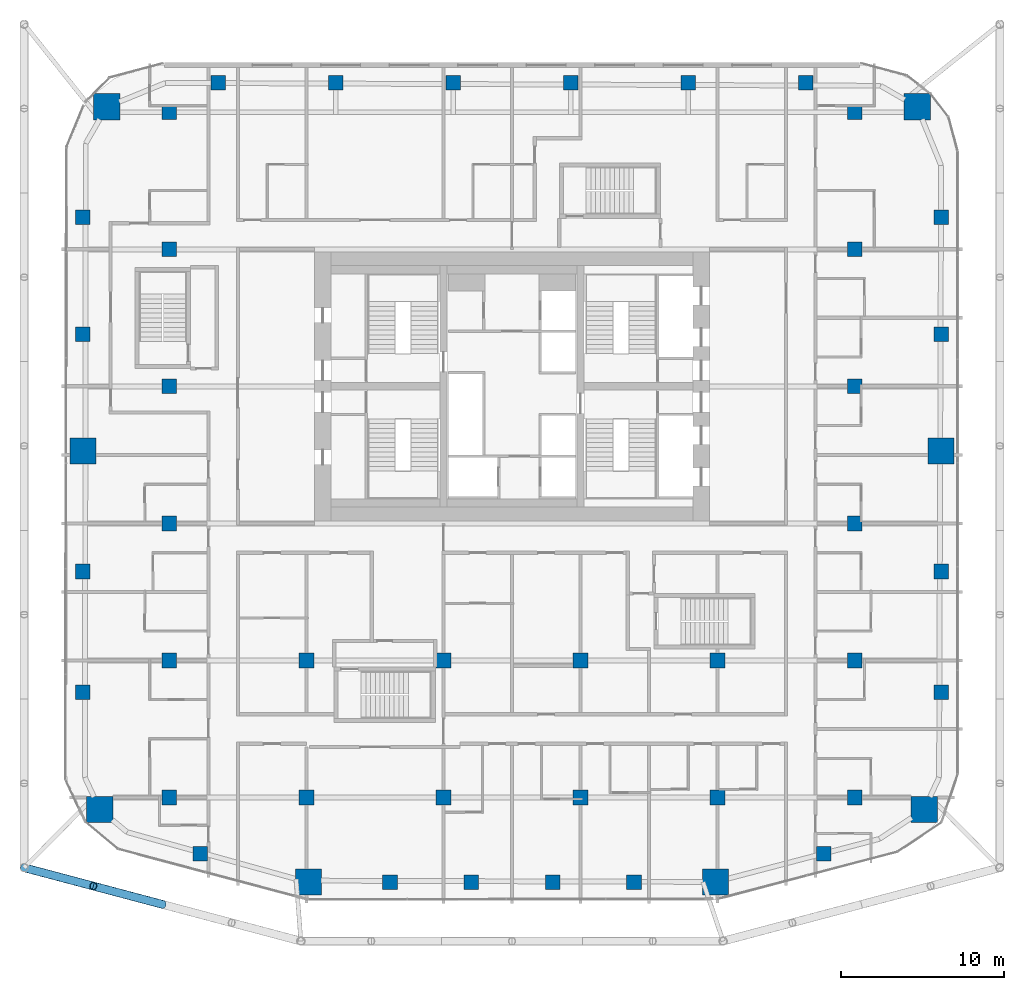
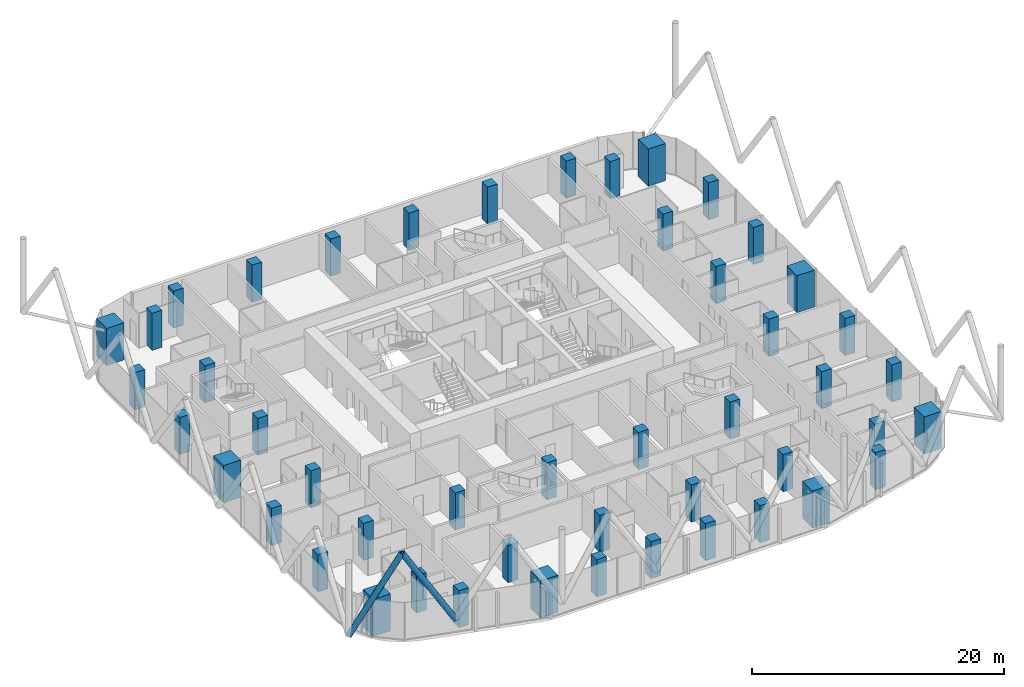
# One storey, part 1 of 33: 48 columns, 2 members.
"""IFC4 building model written with IfcOpenShell, lengths in metres."""

from ifc_helpers import new_model, si_unit, direction, frame, origin, origin_2d, place, context, subcontext, project, spatial, rectangle, hollow_circle, extrude, material, material_profile, profile_set, type_object, element, save


model = new_model("IFC4")

# Units and contexts
model_context = context("Model", 3, precision=1e-05, world=origin(), true_north=direction((0.0, 1.0)))
body_context = subcontext(model_context, "Body", "Model", "MODEL_VIEW")
ifc_project = project(units=[si_unit("LENGTHUNIT", "METRE"), si_unit("AREAUNIT", "SQUARE_METRE"), si_unit("VOLUMEUNIT", "CUBIC_METRE"), si_unit("PLANEANGLEUNIT", "RADIAN"), si_unit("MASSUNIT", "GRAM", prefix="KILO")], contexts=[model_context])

# Site, building, storey
site_placement = place(None, origin())
site = spatial("IfcSite", under=ifc_project, at=site_placement, CompositionType="ELEMENT")
building_placement = place(site_placement, origin())
building = spatial("IfcBuilding", under=site, at=building_placement, Name="Marenta Gate Hotel Tower", CompositionType="ELEMENT")
storey_placement = place(building_placement, frame((0.0, 0.0, 137.300048828125)))
storey = spatial("IfcBuildingStorey", under=building, at=storey_placement, Name="L31", CompositionType="ELEMENT", Elevation=137.300048828125)

# Columns
ifc_material_1 = material(Name="Concrete C70", Category="concrete")
ifc_material_profile_1 = material_profile(ifc_material_1, rectangle(XDim=0.89990234375, YDim=0.89990234375, at=origin_2d()), Name="900 x 900")
ifc_profile_set_1 = profile_set([ifc_material_profile_1], Name="Concrete C70")
column_type_1 = type_object("IfcColumnType", Name="Edge column 900 x 900 C70", PredefinedType="COLUMN", material=ifc_profile_set_1)
for number, where, z_axis, x_axis, name in (
    (1, (-26.300048828125, -10.351806640625, 0.0), (0.0, 0.0, 1.0), (1.0, 0.0, 0.0), "L31-EC-SW-W-1"),
    (2, (-26.300048828125, -2.950927734375, 0.0), (0.0, 0.0, 1.0), (1.0, 0.0, 0.0), "L31-EC-SW-W-2"),
    (3, (-26.300048828125, 11.603271484375, 0.0), (0.0, 0.0, 1.0), (1.0, 0.0, 0.0), "L31-EC-W-NW-1"),
    (4, (-26.300048828125, 18.75634765625, 0.0), (0.0, 0.0, 1.0), (1.0, 0.0, 0.0), "L31-EC-W-NW-2"),
    (5, (-18.0068359375, 27.0, 0.0), (0.0, 0.0, 1.0), (1.0, 0.0, 0.0), "L31-EC-NW-NE-1"),
    (6, (-10.80419921875, 27.0, 0.0), (0.0, 0.0, 1.0), (1.0, 0.0, 0.0), "L31-EC-NW-NE-2"),
    (7, (-3.601318359375, 27.0, 0.0), (0.0, 0.0, 1.0), (1.0, 0.0, 0.0), "L31-EC-NW-NE-3"),
    (8, (3.601318359375, 27.0, 0.0), (0.0, 0.0, 1.0), (1.0, 0.0, 0.0), "L31-EC-NW-NE-4"),
    (9, (10.80419921875, 27.0, 0.0), (0.0, 0.0, 1.0), (1.0, 0.0, 0.0), "L31-EC-NW-NE-5"),
    (10, (18.0068359375, 27.0, 0.0), (0.0, 0.0, 1.0), (1.0, 0.0, 0.0), "L31-EC-NW-NE-6"),
    (11, (26.300048828125, 18.75634765625, 0.0), (0.0, 0.0, 1.0), (1.0, 0.0, 0.0), "L31-EC-NE-E-1"),
    (12, (26.300048828125, 11.603271484375, 0.0), (0.0, 0.0, 1.0), (1.0, 0.0, 0.0), "L31-EC-NE-E-2"),
    (13, (26.300048828125, -2.950927734375, 0.0), (0.0, 0.0, 1.0), (1.0, 0.0, 0.0), "L31-EC-E-SE-1"),
    (14, (26.300048828125, -10.351806640625, 0.0), (0.0, 0.0, 1.0), (1.0, 0.0, 0.0), "L31-EC-E-SE-2"),
    (15, (19.106689453125, -20.239013671875, 0.0), (0.0, 0.0, 1.0), (1.0, 0.0, 0.0), "L31-EC-SE-SKE-1"),
    (16, (7.47998046875, -22.0, 0.0), (0.0, 0.0, 1.0), (1.0, 0.0, 0.0), "L31-EC-SKE-SKW-1"),
    (17, (2.493408203125, -22.0, 0.0), (0.0, 0.0, 1.0), (1.0, 0.0, 0.0), "L31-EC-SKE-SKW-2"),
    (18, (-2.493408203125, -22.0, 0.0), (0.0, 0.0, 1.0), (1.0, 0.0, 0.0), "L31-EC-SKE-SKW-3"),
    (19, (-7.47998046875, -22.0, 0.0), (0.0, 0.0, 1.0), (1.0, 0.0, 0.0), "L31-EC-SKE-SKW-4"),
    (20, (-19.106689453125, -20.239013671875, 0.0), (0.0, 0.0, 1.0), (1.0, 0.0, 0.0), "L31-EC-SKW-SW-1"),
):
    element("IfcColumn", number, at=place(storey_placement, frame(where, z_axis=z_axis, x_axis=x_axis)), inside=storey, type_object=column_type_1, Name=name, PredefinedType="COLUMN", context=body_context, shape_type="SweptSolid", body=[
        extrude(rectangle(XDim=0.89990234375, YDim=0.89990234375, at=origin_2d()), origin(), (0.0, 0.0, 1.0), 3.599853515625),
    ])
ifc_material_2 = material(Name="Concrete C70", Category="concrete")
ifc_material_profile_2 = material_profile(ifc_material_2, rectangle(XDim=0.89990234375, YDim=0.89990234375, at=origin_2d()), Name="900 x 900")
ifc_profile_set_2 = profile_set([ifc_material_profile_2], Name="Concrete C70")
column_type_2 = type_object("IfcColumnType", Name="Interior column 900 x 900 C70", PredefinedType="COLUMN", material=ifc_profile_set_2)
for number, where, z_axis, x_axis, name in (
    (21, (-21.0, -16.800048828125, 0.0), (0.0, 0.0, 1.0), (1.0, 0.0, 0.0), "L31-IC-4D"),
    (22, (-21.0, -8.39990234375, 0.0), (0.0, 0.0, 1.0), (1.0, 0.0, 0.0), "L31-IC-4E"),
    (23, (-21.0, 0.0, 0.0), (0.0, 0.0, 1.0), (1.0, 0.0, 0.0), "L31-IC-4F"),
    (24, (-21.0, 8.39990234375, 0.0), (0.0, 0.0, 1.0), (1.0, 0.0, 0.0), "L31-IC-4G"),
    (25, (-21.0, 16.800048828125, 0.0), (0.0, 0.0, 1.0), (1.0, 0.0, 0.0), "L31-IC-4H"),
    (26, (-21.0, 25.199951171875, 0.0), (0.0, 0.0, 1.0), (1.0, 0.0, 0.0), "L31-IC-4I"),
    (27, (-12.60009765625, -16.800048828125, 0.0), (0.0, 0.0, 1.0), (1.0, 0.0, 0.0), "L31-IC-5D"),
    (28, (-12.60009765625, -8.39990234375, 0.0), (0.0, 0.0, 1.0), (1.0, 0.0, 0.0), "L31-IC-5E"),
    (29, (-4.199951171875, -16.800048828125, 0.0), (0.0, 0.0, 1.0), (1.0, 0.0, 0.0), "L31-IC-6D"),
    (30, (-4.199951171875, -8.39990234375, 0.0), (0.0, 0.0, 1.0), (1.0, 0.0, 0.0), "L31-IC-6E"),
    (31, (4.199951171875, -16.800048828125, 0.0), (0.0, 0.0, 1.0), (1.0, 0.0, 0.0), "L31-IC-7D"),
    (32, (4.199951171875, -8.39990234375, 0.0), (0.0, 0.0, 1.0), (1.0, 0.0, 0.0), "L31-IC-7E"),
    (33, (12.60009765625, -16.800048828125, 0.0), (0.0, 0.0, 1.0), (1.0, 0.0, 0.0), "L31-IC-8D"),
    (34, (12.60009765625, -8.39990234375, 0.0), (0.0, 0.0, 1.0), (1.0, 0.0, 0.0), "L31-IC-8E"),
    (35, (21.0, -16.800048828125, 0.0), (0.0, 0.0, 1.0), (1.0, 0.0, 0.0), "L31-IC-9D"),
    (36, (21.0, -8.39990234375, 0.0), (0.0, 0.0, 1.0), (1.0, 0.0, 0.0), "L31-IC-9E"),
    (37, (21.0, 0.0, 0.0), (0.0, 0.0, 1.0), (1.0, 0.0, 0.0), "L31-IC-9F"),
    (38, (21.0, 8.39990234375, 0.0), (0.0, 0.0, 1.0), (1.0, 0.0, 0.0), "L31-IC-9G"),
    (39, (21.0, 16.800048828125, 0.0), (0.0, 0.0, 1.0), (1.0, 0.0, 0.0), "L31-IC-9H"),
    (40, (21.0, 25.199951171875, 0.0), (0.0, 0.0, 1.0), (1.0, 0.0, 0.0), "L31-IC-9I"),
):
    element("IfcColumn", number, at=place(storey_placement, frame(where, z_axis=z_axis, x_axis=x_axis)), inside=storey, type_object=column_type_2, Name=name, PredefinedType="COLUMN", context=body_context, shape_type="SweptSolid", body=[
        extrude(rectangle(XDim=0.89990234375, YDim=0.89990234375, at=origin_2d()), origin(), (0.0, 0.0, 1.0), 3.599853515625),
    ])
ifc_material_3 = material(Name="Concrete C70", Category="concrete")
ifc_material_profile_3 = material_profile(ifc_material_3, rectangle(XDim=1.60009765625, YDim=1.60009765625, at=origin_2d()), Name="1600 x 1600")
ifc_profile_set_3 = profile_set([ifc_material_profile_3], Name="Concrete C70")
column_type_3 = type_object("IfcColumnType", Name="Mega column 1600 x 1600 C70", PredefinedType="COLUMN", material=ifc_profile_set_3)
for number, where, z_axis, x_axis, name in (
    (41, (-25.262939453125, -17.532958984375, 0.0), (0.0, 0.0, 1.0), (1.0, 0.0, 0.0), "L31-MC-SW"),
    (42, (-12.46630859375, -21.974853515625, 0.0), (0.0, 0.0, 1.0), (1.0, 0.0, 0.0), "L31-MC-SKW"),
    (43, (12.46630859375, -21.974853515625, 0.0), (0.0, 0.0, 1.0), (1.0, 0.0, 0.0), "L31-MC-SKE"),
    (44, (25.262939453125, -17.532958984375, 0.0), (0.0, 0.0, 1.0), (1.0, 0.0, 0.0), "L31-MC-SE"),
    (45, (26.300048828125, 4.449951171875, 0.0), (0.0, 0.0, 1.0), (1.0, 0.0, 0.0), "L31-MC-E"),
    (46, (24.83544921875, 25.535400390625, 0.0), (0.0, 0.0, 1.0), (1.0, 0.0, 0.0), "L31-MC-NE"),
    (47, (-24.83544921875, 25.535400390625, 0.0), (0.0, 0.0, 1.0), (1.0, 0.0, 0.0), "L31-MC-NW"),
    (48, (-26.300048828125, 4.449951171875, 0.0), (0.0, 0.0, 1.0), (1.0, 0.0, 0.0), "L31-MC-W"),
):
    element("IfcColumn", number, at=place(storey_placement, frame(where, z_axis=z_axis, x_axis=x_axis)), inside=storey, type_object=column_type_3, Name=name, PredefinedType="COLUMN", context=body_context, shape_type="SweptSolid", body=[
        extrude(rectangle(XDim=1.60009765625, YDim=1.60009765625, at=origin_2d()), origin(), (0.0, 0.0, 1.0), 3.599853515625),
    ])

# Members
ifc_material_4 = material(Name="Steel S355J2W", Category="steel")
ifc_material_profile_4 = material_profile(ifc_material_4, hollow_circle(Radius=0.25390625, WallThickness=0.0400390625, at=origin_2d()), Name="CHS 508x40")
ifc_profile_set_4 = profile_set([ifc_material_profile_4], Name="Steel S355J2W")
member_type = type_object("IfcMemberType", Name="Diagrid diagonal Z2 CHS 508x40", PredefinedType="BRACE", material=ifc_profile_set_4)
member_1_placement = place(storey_placement, frame((-21.41943359375, -23.35009765625, 3.139892578125), z_axis=(-0.502945650976, 0.133431605717, 0.853956485285), x_axis=(-0.256429393985, -0.966562965306, 0.0)))
element("IfcMember", 49, at=member_1_placement, inside=storey, type_object=member_type, Name="L31-DG-23", PredefinedType="BRACE", context=body_context, shape_type="SweptSolid", body=[
    extrude(hollow_circle(Radius=0.25390625, WallThickness=0.0400390625, at=origin_2d()), origin(), (0.0, 0.0, 1.0), 8.431396484375),
])
member_2_placement = place(storey_placement, frame((-29.89990234375, -21.10009765625, 3.139892578125), z_axis=(0.502902385412, -0.133435492139, 0.853981358218), x_axis=(0.256456982503, 0.966555645644, 0.0)))
element("IfcMember", 50, at=member_2_placement, inside=storey, type_object=member_type, Name="L31-DG-24", PredefinedType="BRACE", context=body_context, shape_type="SweptSolid", body=[
    extrude(hollow_circle(Radius=0.25390625, WallThickness=0.0400390625, at=origin_2d()), origin(), (0.0, 0.0, 1.0), 8.43115234375),
])

save(model, "model.ifc")
